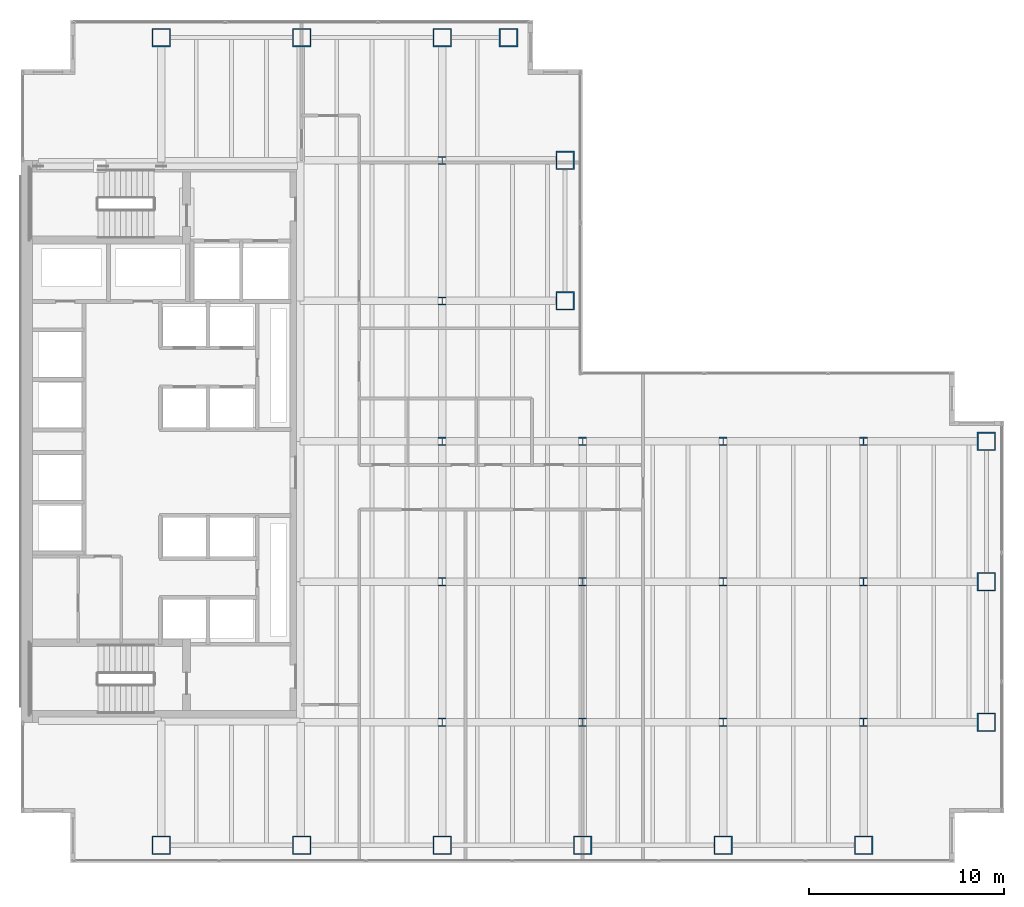
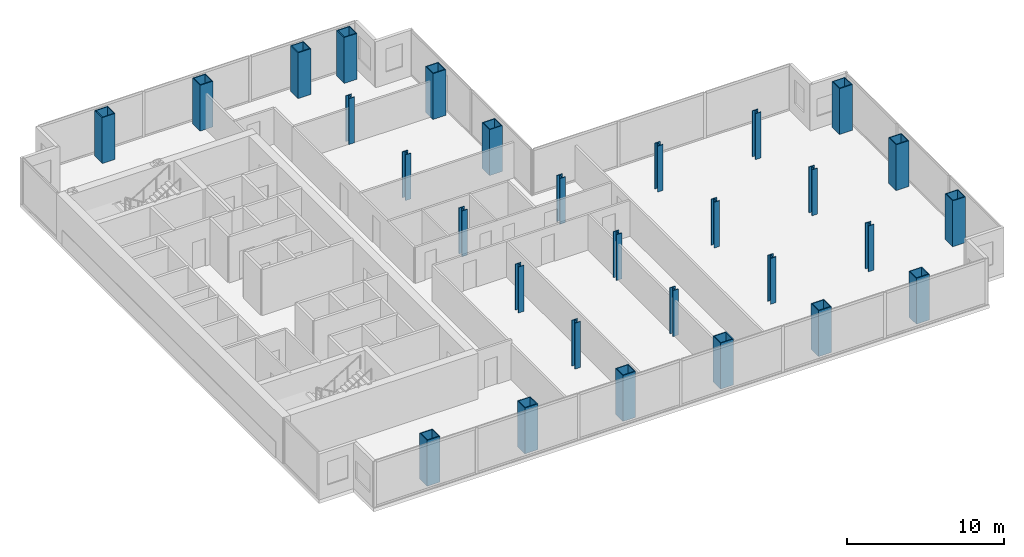
# One storey, part 1 of 23: 29 columns.
"""IFC4 building model written with IfcOpenShell, lengths in metres."""

from ifc_helpers import new_model, si_unit, direction, frame, origin, origin_2d, place, context, subcontext, project, spatial, hollow_rectangle, i_section, extrude, material, material_profile, profile_set, type_object, element, save


model = new_model("IFC4")

# Units and contexts
model_context = context("Model", 3, precision=1e-05, world=origin(), true_north=direction((0.0, 1.0)))
body_context = subcontext(model_context, "Body", "Model", "MODEL_VIEW")
ifc_project = project(units=[si_unit("LENGTHUNIT", "METRE"), si_unit("AREAUNIT", "SQUARE_METRE"), si_unit("VOLUMEUNIT", "CUBIC_METRE"), si_unit("PLANEANGLEUNIT", "RADIAN"), si_unit("MASSUNIT", "GRAM", prefix="KILO")], contexts=[model_context])

# Site, building, storey
site_placement = place(None, origin())
site = spatial("IfcSite", under=ifc_project, at=site_placement, CompositionType="ELEMENT")
building_placement = place(site_placement, origin())
building = spatial("IfcBuilding", under=site, at=building_placement, Name="Cobrela Telecom Tower", CompositionType="ELEMENT")
storey_placement = place(building_placement, frame((0.0, 0.0, 81.199951171875)))
storey = spatial("IfcBuildingStorey", under=building, at=storey_placement, Name="L20", CompositionType="ELEMENT", Elevation=81.199951171875)

# Columns
ifc_material_1 = material(Name="Steel ASTM A992 Grade 50", Category="steel")
ifc_material_profile_1 = material_profile(ifc_material_1, i_section(OverallWidth=0.408935546875, OverallDepth=0.424072265625, WebThickness=0.03271484375, FlangeThickness=0.052490234375, FilletRadius=0.01806640625, at=origin_2d()), Name="W14X283")
ifc_profile_set_1 = profile_set([ifc_material_profile_1], Name="Steel ASTM A992 Grade 50")
column_type_1 = type_object("IfcColumnType", Name="COL-INT-05", PredefinedType="COLUMN", material=ifc_profile_set_1)
for number, where, z_axis, x_axis, name in (
    (1, (21.60009765625, 7.199951171875, 0.0), (0.0, 0.0, 1.0), (1.0, 0.0, 0.0), "L20 Interior Column 06"),
    (2, (21.60009765625, 14.39990234375, 0.0), (0.0, 0.0, 1.0), (1.0, 0.0, 0.0), "L20 Interior Column 07"),
    (3, (21.60009765625, 21.60009765625, 0.0), (0.0, 0.0, 1.0), (1.0, 0.0, 0.0), "L20 Interior Column 08"),
    (4, (21.60009765625, 28.800048828125, 0.0), (0.0, 0.0, 1.0), (1.0, 0.0, 0.0), "L20 Interior Column 09"),
    (5, (21.60009765625, 36.0, 0.0), (0.0, 0.0, 1.0), (1.0, 0.0, 0.0), "L20 Interior Column 10"),
    (6, (28.800048828125, 7.199951171875, 0.0), (0.0, 0.0, 1.0), (1.0, 0.0, 0.0), "L20 Interior Column 16"),
    (7, (28.800048828125, 14.39990234375, 0.0), (0.0, 0.0, 1.0), (1.0, 0.0, 0.0), "L20 Interior Column 17"),
    (8, (28.800048828125, 21.60009765625, 0.0), (0.0, 0.0, 1.0), (1.0, 0.0, 0.0), "L20 Interior Column 18"),
    (9, (36.0, 7.199951171875, 0.0), (0.0, 0.0, 1.0), (1.0, 0.0, 0.0), "L20 Interior Column 20"),
    (10, (36.0, 14.39990234375, 0.0), (0.0, 0.0, 1.0), (1.0, 0.0, 0.0), "L20 Interior Column 21"),
    (11, (36.0, 21.60009765625, 0.0), (0.0, 0.0, 1.0), (1.0, 0.0, 0.0), "L20 Interior Column 22"),
    (12, (43.199951171875, 7.199951171875, 0.0), (0.0, 0.0, 1.0), (1.0, 0.0, 0.0), "L20 Interior Column 24"),
    (13, (43.199951171875, 14.39990234375, 0.0), (0.0, 0.0, 1.0), (1.0, 0.0, 0.0), "L20 Interior Column 25"),
    (14, (43.199951171875, 21.60009765625, 0.0), (0.0, 0.0, 1.0), (1.0, 0.0, 0.0), "L20 Interior Column 26"),
):
    element("IfcColumn", number, at=place(storey_placement, frame(where, z_axis=z_axis, x_axis=x_axis)), inside=storey, type_object=column_type_1, Name=name, PredefinedType="COLUMN", context=body_context, shape_type="SweptSolid", body=[
        extrude(i_section(OverallWidth=0.408935546875, OverallDepth=0.424072265625, WebThickness=0.03271484375, FlangeThickness=0.052490234375, FilletRadius=0.01806640625, at=origin_2d()), origin(), (0.0, 0.0, 1.0), 3.570068359375),
    ])
ifc_material_2 = material(Name="Steel ASTM A572 Grade 50", Category="steel")
ifc_material_profile_2 = material_profile(ifc_material_2, hollow_rectangle(XDim=0.949951171875, YDim=0.949951171875, WallThickness=0.06005859375, at=origin_2d()), Name="BOX 950x950x60")
ifc_profile_set_2 = profile_set([ifc_material_profile_2], Name="Steel ASTM A572 Grade 50")
column_type_2 = type_object("IfcColumnType", Name="COL-MEGA-04", PredefinedType="COLUMN", material=ifc_profile_set_2)
for number, where, z_axis, x_axis, name in (
    (15, (7.199951171875, 0.89990234375, 0.0), (0.0, 0.0, 1.0), (1.0, 0.0, 0.0), "L20 Perimeter Mega-Column 01"),
    (16, (7.199951171875, 42.300048828125, 0.0), (0.0, 0.0, 1.0), (1.0, 0.0, 0.0), "L20 Perimeter Mega-Column 02"),
    (17, (14.39990234375, 0.89990234375, 0.0), (0.0, 0.0, 1.0), (1.0, 0.0, 0.0), "L20 Perimeter Mega-Column 03"),
    (18, (14.39990234375, 42.300048828125, 0.0), (0.0, 0.0, 1.0), (1.0, 0.0, 0.0), "L20 Perimeter Mega-Column 04"),
    (19, (21.60009765625, 0.89990234375, 0.0), (0.0, 0.0, 1.0), (1.0, 0.0, 0.0), "L20 Perimeter Mega-Column 05"),
    (20, (21.60009765625, 42.300048828125, 0.0), (0.0, 0.0, 1.0), (1.0, 0.0, 0.0), "L20 Perimeter Mega-Column 11"),
    (21, (25.0, 42.300048828125, 0.0), (0.0, 0.0, 1.0), (1.0, 0.0, 0.0), "L20 Perimeter Mega-Column 12"),
    (22, (27.89990234375, 28.800048828125, 0.0), (0.0, 0.0, 1.0), (1.0, 0.0, 0.0), "L20 Perimeter Mega-Column 13"),
    (23, (27.89990234375, 36.0, 0.0), (0.0, 0.0, 1.0), (1.0, 0.0, 0.0), "L20 Perimeter Mega-Column 14"),
    (24, (28.800048828125, 0.89990234375, 0.0), (0.0, 0.0, 1.0), (1.0, 0.0, 0.0), "L20 Perimeter Mega-Column 15"),
    (25, (36.0, 0.89990234375, 0.0), (0.0, 0.0, 1.0), (1.0, 0.0, 0.0), "L20 Perimeter Mega-Column 19"),
    (26, (43.199951171875, 0.89990234375, 0.0), (0.0, 0.0, 1.0), (1.0, 0.0, 0.0), "L20 Perimeter Mega-Column 23"),
    (27, (49.5, 7.199951171875, 0.0), (0.0, 0.0, 1.0), (1.0, 0.0, 0.0), "L20 Perimeter Mega-Column 27"),
    (28, (49.5, 14.39990234375, 0.0), (0.0, 0.0, 1.0), (1.0, 0.0, 0.0), "L20 Perimeter Mega-Column 28"),
    (29, (49.5, 21.60009765625, 0.0), (0.0, 0.0, 1.0), (1.0, 0.0, 0.0), "L20 Perimeter Mega-Column 29"),
):
    element("IfcColumn", number, at=place(storey_placement, frame(where, z_axis=z_axis, x_axis=x_axis)), inside=storey, type_object=column_type_2, Name=name, PredefinedType="COLUMN", context=body_context, shape_type="SweptSolid", body=[
        extrude(hollow_rectangle(XDim=0.949951171875, YDim=0.949951171875, WallThickness=0.06005859375, at=origin_2d()), origin(), (0.0, 0.0, 1.0), 3.570068359375),
    ])

save(model, "model.ifc")
